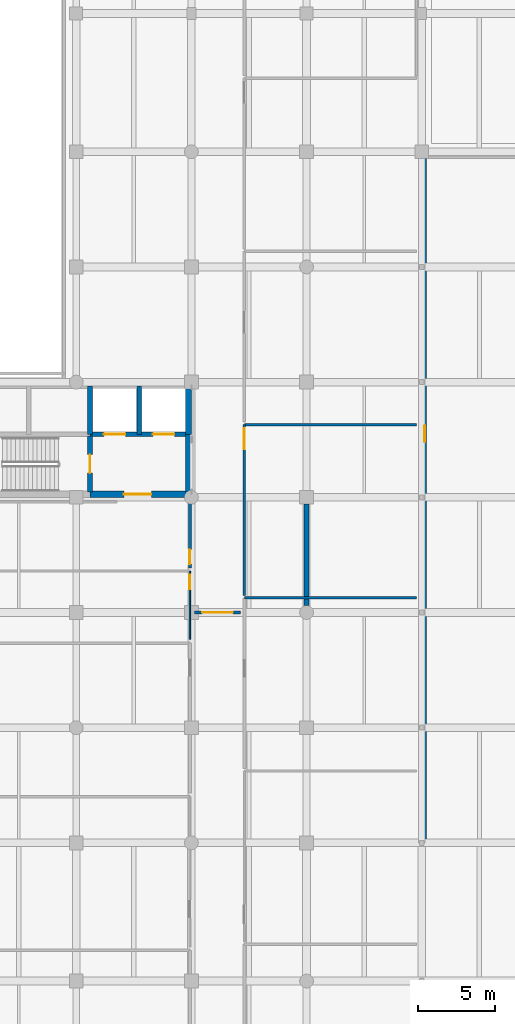
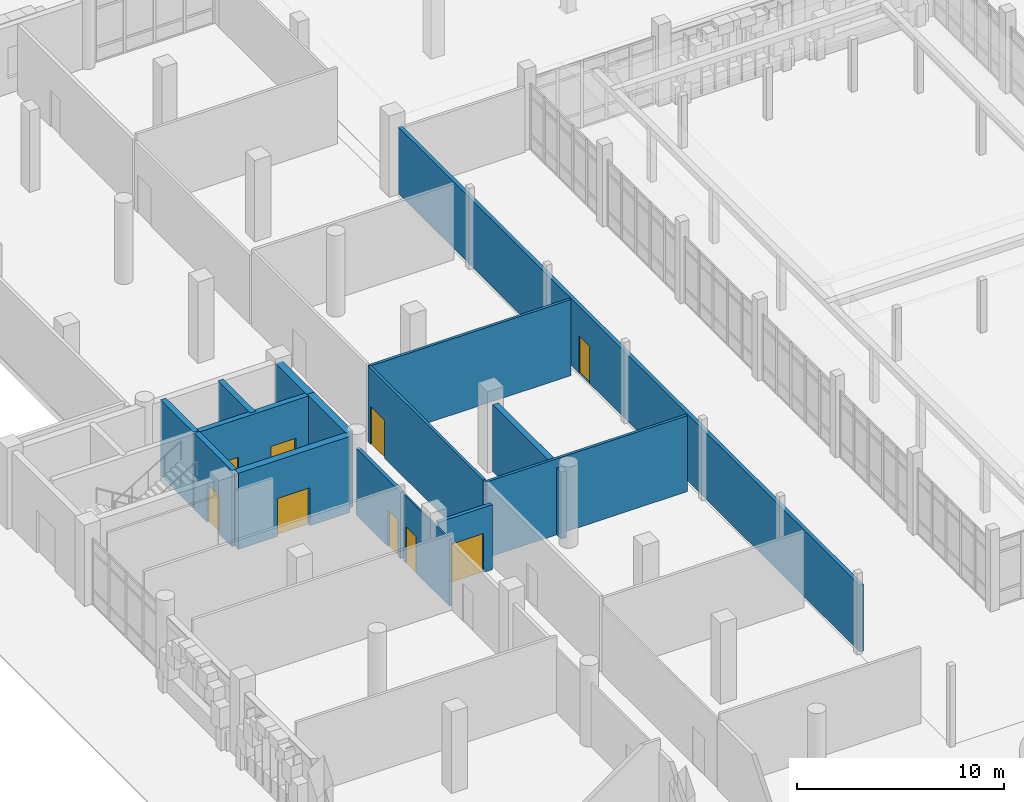
# One storey, part 92 of 125: 15 walls, 9 doors, 9 openings.
"""IFC4 building model written with IfcOpenShell, lengths in metres."""

from ifc_helpers import new_model, si_unit, direction, frame, frame_2d, origin, place, context, subcontext, project, spatial, rectangle, extrude, material, layer, layer_set, type_object, element, fill, save


model = new_model("IFC4")

# Units and contexts
model_context = context("Model", 3, precision=1e-05, world=origin(), true_north=direction((0.0, 1.0)))
body_context = subcontext(model_context, "Body", "Model", "MODEL_VIEW")
ifc_project = project(units=[si_unit("LENGTHUNIT", "METRE"), si_unit("AREAUNIT", "SQUARE_METRE"), si_unit("VOLUMEUNIT", "CUBIC_METRE"), si_unit("PLANEANGLEUNIT", "RADIAN"), si_unit("MASSUNIT", "GRAM", prefix="KILO")], contexts=[model_context])

# Site, building, storey
site_placement = place(None, origin())
site = spatial("IfcSite", under=ifc_project, at=site_placement, CompositionType="ELEMENT")
building_placement = place(site_placement, origin())
building = spatial("IfcBuilding", under=site, at=building_placement, Name="Dalvernix Boulevard General Hospital", CompositionType="ELEMENT")
storey_placement = place(building_placement, origin())
storey = spatial("IfcBuildingStorey", under=building, at=storey_placement, Name="L00", CompositionType="ELEMENT", Elevation=0.0)

# Wall, opening, door
ifc_material_1 = material(Name="Concrete C40/50", Category="concrete")
ifc_layer_1 = layer(ifc_material_1, 0.39990234375)
ifc_layer_set_1 = layer_set([ifc_layer_1], Name="Concrete C40/50 (WAL-CSW-01)")
wall_type_1 = type_object("IfcWallType", Name="WAL-CSW-01", PredefinedType="SHEAR", material=ifc_layer_set_1)
wall_1_placement = place(storey_placement, frame((8.39990234375, 54.199951171875, 0.0), z_axis=(0.0, 0.0, 1.0), x_axis=(1.0, 0.0, 0.0)))
wall_1 = element("IfcWall", 1, at=wall_1_placement, inside=storey, type_object=wall_type_1, Name="L00 C2 south firefighting lobby wall", PredefinedType="SHEAR", context=body_context, shape_type="SweptSolid", body=[
    extrude(rectangle(XDim=6.25, YDim=0.39990234375, at=frame_2d((3.125, 0.0))), origin(), (0.0, 0.0, 1.0), 4.5),
])
opening_1_placement = place(wall_1_placement, frame((2.199951171875, 0.0, 0.0)))
opening_1 = element("IfcOpeningElement", 2, at=opening_1_placement, cuts=wall_1, Name="Opening FD-01", PredefinedType="OPENING", context=body_context, shape_type="SweptSolid", body=[
    extrude(rectangle(XDim=1.800048828125, YDim=2.25, at=frame_2d((0.89990234375, 1.125))), frame((0.0, 0.2099609375, 0.0), z_axis=(0.0, -1.0, 0.0), x_axis=(1.0, 0.0, 0.0)), (0.0, 0.0, 1.0), 0.419921875),
])
ifc_material_2 = material(Name="Hospital laminate acoustic timber and steel frame", Category="steel")
door_type_1 = type_object("IfcDoorType", Name="DR-FD-01", OperationType="DOUBLE_DOOR_SINGLE_SWING", PredefinedType="DOOR", material=ifc_material_2)
door_1_placement = place(opening_1_placement, origin())
door_1 = element("IfcDoor", 3, at=door_1_placement, inside=storey, type_object=door_type_1, Name="L00 C2 firefighting lobby door", OperationType="DOUBLE_DOOR_SINGLE_SWING", OverallHeight=2.25, OverallWidth=1.800048828125, PredefinedType="DOOR", context=body_context, shape_type="SweptSolid", body=[
    extrude(rectangle(XDim=1.800048828125, YDim=2.25, at=frame_2d((0.89990234375, 1.125))), frame((0.0, 0.02490234375, 0.0), z_axis=(0.0, -1.0, 0.0), x_axis=(1.0, 0.0, 0.0)), (0.0, 0.0, 1.0), 0.050048828125),
])
fill(opening_1, door_1)

# Walls
wall_2_placement = place(storey_placement, frame((14.800048828125, 54.35009765625, 0.0), z_axis=(0.0, 0.0, 1.0), x_axis=(0.0, 1.0, 0.0)))
element("IfcWall", 4, at=wall_2_placement, inside=storey, type_object=wall_type_1, Name="L00 C2 east lobby core wall", PredefinedType="SHEAR", context=body_context, shape_type="SweptSolid", body=[
    extrude(rectangle(XDim=3.75, YDim=0.39990234375, at=frame_2d((1.875, 0.0))), origin(), (0.0, 0.0, 1.0), 4.5),
])
wall_3_placement = place(storey_placement, frame((14.800048828125, 58.10009765625, 0.0), z_axis=(0.0, 0.0, 1.0), x_axis=(0.0, 1.0, 0.0)))
element("IfcWall", 5, at=wall_3_placement, inside=storey, type_object=wall_type_1, Name="L00 C2 east shaft core wall", PredefinedType="SHEAR", context=body_context, shape_type="SweptSolid", body=[
    extrude(rectangle(XDim=3.0498046875, YDim=0.39990234375, at=frame_2d((1.52490234375, 0.0))), origin(), (0.0, 0.0, 1.0), 4.5),
])

# Wall, openings, doors
ifc_layer_2 = layer(ifc_material_1, 0.300048828125)
ifc_layer_set_2 = layer_set([ifc_layer_2], Name="Concrete C40/50 (WAL-CSW-02)")
wall_type_2 = type_object("IfcWallType", Name="WAL-CSW-02", PredefinedType="SHEAR", material=ifc_layer_set_2)
wall_4_placement = place(storey_placement, frame((8.39990234375, 58.10009765625, 0.0), z_axis=(0.0, 0.0, 1.0), x_axis=(1.0, 0.0, 0.0)))
wall_4 = element("IfcWall", 6, at=wall_4_placement, inside=storey, type_object=wall_type_2, Name="L00 C2 lift shaft front wall", PredefinedType="SHEAR", context=body_context, shape_type="SweptSolid", body=[
    extrude(rectangle(XDim=6.25, YDim=0.300048828125, at=frame_2d((3.125, 0.0))), origin(), (0.0, 0.0, 1.0), 4.5),
])
opening_2_placement = place(wall_4_placement, frame((0.89990234375, 0.0, 0.0)))
opening_2 = element("IfcOpeningElement", 7, at=opening_2_placement, cuts=wall_4, Name="Opening LD-FFL-03-L00", PredefinedType="OPENING", context=body_context, shape_type="SweptSolid", body=[
    extrude(rectangle(XDim=1.39990234375, YDim=2.25, at=frame_2d((0.699951171875, 1.125))), frame((0.0, 0.159912109375, 0.0), z_axis=(0.0, -1.0, 0.0), x_axis=(1.0, 0.0, 0.0)), (0.0, 0.0, 1.0), 0.320068359375),
])
opening_3_placement = place(wall_4_placement, frame((4.10009765625, 0.0, 0.0)))
opening_3 = element("IfcOpeningElement", 8, at=opening_3_placement, cuts=wall_4, Name="Opening LD-FFL-04-L00", PredefinedType="OPENING", context=body_context, shape_type="SweptSolid", body=[
    extrude(rectangle(XDim=1.39990234375, YDim=2.25, at=frame_2d((0.699951171875, 1.125))), frame((0.0, 0.159912109375, 0.0), z_axis=(0.0, -1.0, 0.0), x_axis=(1.0, 0.0, 0.0)), (0.0, 0.0, 1.0), 0.320068359375),
])
ifc_material_3 = material(Name="Stainless-clad steel", Category="steel")
door_type_2 = type_object("IfcDoorType", Name="DR-LD-01", OperationType="DOUBLE_DOOR_SLIDING", PredefinedType="DOOR", material=ifc_material_3)
door_2_placement = place(opening_2_placement, origin())
door_2 = element("IfcDoor", 9, at=door_2_placement, inside=storey, type_object=door_type_2, Name="L00 Lift FFL-03 sliding landing door", OperationType="DOUBLE_DOOR_SLIDING", OverallHeight=2.25, OverallWidth=1.39990234375, PredefinedType="DOOR", context=body_context, shape_type="SweptSolid", body=[
    extrude(rectangle(XDim=1.39990234375, YDim=2.25, at=frame_2d((0.699951171875, 1.125))), frame((0.0, 0.02490234375, 0.0), z_axis=(0.0, -1.0, 0.0), x_axis=(1.0, 0.0, 0.0)), (0.0, 0.0, 1.0), 0.050048828125),
])
fill(opening_2, door_2)
door_3_placement = place(opening_3_placement, origin())
door_3 = element("IfcDoor", 10, at=door_3_placement, inside=storey, type_object=door_type_2, Name="L00 Lift FFL-04 sliding landing door", OperationType="DOUBLE_DOOR_SLIDING", OverallHeight=2.25, OverallWidth=1.39990234375, PredefinedType="DOOR", context=body_context, shape_type="SweptSolid", body=[
    extrude(rectangle(XDim=1.39990234375, YDim=2.25, at=frame_2d((0.699951171875, 1.125))), frame((0.0, 0.02490234375, 0.0), z_axis=(0.0, -1.0, 0.0), x_axis=(1.0, 0.0, 0.0)), (0.0, 0.0, 1.0), 0.050048828125),
])
fill(opening_3, door_3)

# Wall, opening, door
wall_5_placement = place(storey_placement, frame((8.39990234375, 58.0, 0.0), z_axis=(0.0, 0.0, 1.0), x_axis=(0.0, -1.0, 0.0)))
wall_5 = element("IfcWall", 11, at=wall_5_placement, inside=storey, type_object=wall_type_2, Name="L00 C2 stairwell fire wall", PredefinedType="SHEAR", context=body_context, shape_type="SweptSolid", body=[
    extrude(rectangle(XDim=3.64990234375, YDim=0.300048828125, at=frame_2d((1.824951171875, 0.0))), origin(), (0.0, 0.0, 1.0), 4.5),
])
opening_4_placement = place(wall_5_placement, frame((1.219970703125, 0.0, 0.0)))
opening_4 = element("IfcOpeningElement", 12, at=opening_4_placement, cuts=wall_5, Name="Opening FD-02", PredefinedType="OPENING", context=body_context, shape_type="SweptSolid", body=[
    extrude(rectangle(XDim=1.199951171875, YDim=2.25, at=frame_2d((0.60009765625, 1.125))), frame((0.0, 0.159912109375, 0.0), z_axis=(0.0, -1.0, 0.0), x_axis=(1.0, 0.0, 0.0)), (0.0, 0.0, 1.0), 0.320068359375),
])
door_type_3 = type_object("IfcDoorType", Name="DR-FD-02", OperationType="NOTDEFINED", PredefinedType="DOOR", material=ifc_material_2)
door_4_placement = place(opening_4_placement, origin())
door_4 = element("IfcDoor", 13, at=door_4_placement, inside=storey, type_object=door_type_3, Name="L00 Stair ST-02 fire door", OperationType="SINGLE_SWING_RIGHT", OverallHeight=2.25, OverallWidth=1.199951171875, PredefinedType="DOOR", context=body_context, shape_type="SweptSolid", body=[
    extrude(rectangle(XDim=1.199951171875, YDim=2.25, at=frame_2d((0.60009765625, 1.125))), frame((0.0, 0.02490234375, 0.0), z_axis=(0.0, -1.0, 0.0), x_axis=(1.0, 0.0, 0.0)), (0.0, 0.0, 1.0), 0.050048828125),
])
fill(opening_4, door_4)

# Walls
for number, where, z_axis, x_axis, name in (
    (14, (8.39990234375, 58.10009765625, 0.0), (0.0, 0.0, 1.0), (0.0, 1.0, 0.0), "L00 C2 shaft divider R2"),
    (15, (11.60009765625, 58.10009765625, 0.0), (0.0, 0.0, 1.0), (0.0, 1.0, 0.0), "L00 C2 shaft divider L1"),
):
    element("IfcWall", number, at=place(storey_placement, frame(where, z_axis=z_axis, x_axis=x_axis)), inside=storey, type_object=wall_type_2, Name=name, PredefinedType="SHEAR", context=body_context, shape_type="SweptSolid", body=[
        extrude(rectangle(XDim=3.14990234375, YDim=0.300048828125, at=frame_2d((1.574951171875, 0.0))), origin(), (0.0, 0.0, 1.0), 4.5),
    ])
ifc_layer_3 = layer(ifc_material_1, 0.320068359375)
ifc_layer_set_3 = layer_set([ifc_layer_3], Name="Concrete C40/50 (WAL-ESW-02)")
wall_type_3 = type_object("IfcWallType", Name="WAL-ESW-02", PredefinedType="SHEAR", material=ifc_layer_set_3)
wall_6_placement = place(storey_placement, frame((22.5, 46.949951171875, 0.0), z_axis=(0.0, 0.0, 1.0), x_axis=(0.0, 1.0, 0.0)))
element("IfcWall", 16, at=wall_6_placement, inside=storey, type_object=wall_type_3, Name="L00 reinforced concrete shear wall 2", PredefinedType="SHEAR", context=body_context, shape_type="SweptSolid", body=[
    extrude(rectangle(XDim=6.60009765625, YDim=0.320068359375, at=frame_2d((3.300048828125, 0.0))), origin(), (0.0, 0.0, 1.0), 3.949951171875),
])

# Wall, opening, door
ifc_material_4 = material(Name="Fire-compartment corridor masonry wall", Category="masonry")
ifc_layer_4 = layer(ifc_material_4, 0.199951171875)
ifc_layer_set_4 = layer_set([ifc_layer_4], Name="Fire-compartment corridor masonry wall (WAL-IW-02)")
wall_type_4 = type_object("IfcWallType", Name="WAL-IW-02", PredefinedType="STANDARD", material=ifc_layer_set_4)
wall_7_placement = place(storey_placement, frame((14.89990234375, 49.39990234375, 0.0), z_axis=(0.0, 0.0, 1.0), x_axis=(0.0, 1.0, 0.0)))
wall_7 = element("IfcWall", 17, at=wall_7_placement, inside=storey, type_object=wall_type_4, Name="L00 Staff WC L00 West corridor wall", PredefinedType="STANDARD", context=body_context, shape_type="SweptSolid", body=[
    extrude(rectangle(XDim=4.300048828125, YDim=0.199951171875, at=frame_2d((2.14990234375, 0.0))), origin(), (0.0, 0.0, 1.0), 3.93505859375),
])
opening_5_placement = place(wall_7_placement, frame((0.25, 0.0, 0.0)))
opening_5 = element("IfcOpeningElement", 18, at=opening_5_placement, cuts=wall_7, Name="Opening ID-06", PredefinedType="OPENING", context=body_context, shape_type="SweptSolid", body=[
    extrude(rectangle(XDim=0.949951171875, YDim=2.14990234375, at=frame_2d((0.47509765625, 1.074951171875))), frame((0.0, 0.10986328125, 0.0), z_axis=(0.0, -1.0, 0.0), x_axis=(1.0, 0.0, 0.0)), (0.0, 0.0, 1.0), 0.219970703125),
])
door_type_4 = type_object("IfcDoorType", Name="DR-ID-06", OperationType="NOTDEFINED", PredefinedType="DOOR", material=ifc_material_2)
door_5_placement = place(opening_5_placement, origin())
door_5 = element("IfcDoor", 19, at=door_5_placement, inside=storey, type_object=door_type_4, Name="L00 Staff WC L00 West door", OperationType="SINGLE_SWING_RIGHT", OverallHeight=2.14990234375, OverallWidth=0.949951171875, PredefinedType="DOOR", context=body_context, shape_type="SweptSolid", body=[
    extrude(rectangle(XDim=0.949951171875, YDim=2.14990234375, at=frame_2d((0.47509765625, 1.074951171875))), frame((0.0, 0.02490234375, 0.0), z_axis=(0.0, -1.0, 0.0), x_axis=(1.0, 0.0, 0.0)), (0.0, 0.0, 1.0), 0.050048828125),
])
fill(opening_5, door_5)

wall_8_placement = place(storey_placement, frame((30.199951171875, 76.14990234375, 0.0), z_axis=(0.0, 0.0, 1.0), x_axis=(0.0, -1.0, 0.0)))
wall_8 = element("IfcWall", 20, at=wall_8_placement, inside=storey, type_object=wall_type_4, Name="L00 L00 West Cloister Colonnade Loggia corridor wall", PredefinedType="STANDARD", context=body_context, shape_type="SweptSolid", body=[
    extrude(rectangle(XDim=44.64990234375, YDim=0.199951171875, at=frame_2d((22.324951171875, 0.0))), origin(), (0.0, 0.0, 1.0), 3.93505859375),
])
opening_6_placement = place(wall_8_placement, frame((17.489990234375, 0.0, 0.0)))
opening_6 = element("IfcOpeningElement", 21, at=opening_6_placement, cuts=wall_8, Name="Opening ID-07", PredefinedType="OPENING", context=body_context, shape_type="SweptSolid", body=[
    extrude(rectangle(XDim=1.050048828125, YDim=2.199951171875, at=frame_2d((0.52490234375, 1.10009765625))), frame((0.0, 0.10986328125, 0.0), z_axis=(0.0, -1.0, 0.0), x_axis=(1.0, 0.0, 0.0)), (0.0, 0.0, 1.0), 0.219970703125),
])
door_type_5 = type_object("IfcDoorType", Name="DR-ID-07", OperationType="NOTDEFINED", PredefinedType="DOOR", material=ifc_material_2)
door_6_placement = place(opening_6_placement, origin())
door_6 = element("IfcDoor", 22, at=door_6_placement, inside=storey, type_object=door_type_5, Name="L00 L00 West Cloister Colonnade Loggia door", OperationType="SINGLE_SWING_RIGHT", OverallHeight=2.199951171875, OverallWidth=1.050048828125, PredefinedType="DOOR", context=body_context, shape_type="SweptSolid", body=[
    extrude(rectangle(XDim=1.050048828125, YDim=2.199951171875, at=frame_2d((0.52490234375, 1.10009765625))), frame((0.0, 0.02490234375, 0.0), z_axis=(0.0, -1.0, 0.0), x_axis=(1.0, 0.0, 0.0)), (0.0, 0.0, 1.0), 0.050048828125),
])
fill(opening_6, door_6)

wall_9_placement = place(storey_placement, frame((15.199951171875, 46.5, 0.0), z_axis=(0.0, 0.0, 1.0), x_axis=(1.0, 0.0, 0.0)))
wall_9 = element("IfcWall", 23, at=wall_9_placement, inside=storey, type_object=wall_type_4, Name="L00 horizontal progressive evacuation compartment wall 1", PredefinedType="STANDARD", context=body_context, shape_type="SweptSolid", body=[
    extrude(rectangle(XDim=3.0, YDim=0.199951171875, at=frame_2d((1.5, 0.0))), origin(), (0.0, 0.0, 1.0), 3.8349609375),
])
opening_7_placement = place(wall_9_placement, frame((0.5, 0.0, 0.0)))
opening_7 = element("IfcOpeningElement", 24, at=opening_7_placement, cuts=wall_9, Name="Opening FD-03", PredefinedType="OPENING", context=body_context, shape_type="SweptSolid", body=[
    extrude(rectangle(XDim=2.0, YDim=2.300048828125, at=frame_2d((1.0, 1.14990234375))), frame((0.0, 0.10986328125, 0.0), z_axis=(0.0, -1.0, 0.0), x_axis=(1.0, 0.0, 0.0)), (0.0, 0.0, 1.0), 0.219970703125),
])
door_type_6 = type_object("IfcDoorType", Name="DR-FD-03", OperationType="DOUBLE_DOOR_SINGLE_SWING", PredefinedType="DOOR", material=ifc_material_2)
door_7_placement = place(opening_7_placement, origin())
door_7 = element("IfcDoor", 25, at=door_7_placement, inside=storey, type_object=door_type_6, Name="L00 horizontal compartment hold-open fire door 1", OperationType="DOUBLE_DOOR_SINGLE_SWING", OverallHeight=2.300048828125, OverallWidth=2.0, PredefinedType="DOOR", context=body_context, shape_type="SweptSolid", body=[
    extrude(rectangle(XDim=2.0, YDim=2.300048828125, at=frame_2d((1.0, 1.14990234375))), frame((0.0, 0.02490234375, 0.0), z_axis=(0.0, -1.0, 0.0), x_axis=(1.0, 0.0, 0.0)), (0.0, 0.0, 1.0), 0.050048828125),
])
fill(opening_7, door_7)

ifc_material_5 = material(Name="Acoustic double-stud gypsum inpatient partition")
ifc_layer_5 = layer(ifc_material_5, 0.14990234375)
ifc_layer_set_5 = layer_set([ifc_layer_5], Name="Acoustic double-stud gypsum inpatient partition (WAL-IW-04)")
wall_type_5 = type_object("IfcWallType", Name="WAL-IW-04", PredefinedType="PARTITIONING", material=ifc_layer_set_5)
wall_10_placement = place(storey_placement, frame((18.449951171875, 58.734375, 0.0), z_axis=(0.0, 0.0, 1.0), x_axis=(0.0, -1.0, 0.0)))
wall_10 = element("IfcWall", 26, at=wall_10_placement, inside=storey, type_object=wall_type_5, Name="L00 Outpatient Consultation Clinic corridor wall", PredefinedType="PARTITIONING", context=body_context, shape_type="SweptSolid", body=[
    extrude(rectangle(XDim=11.11865234375, YDim=0.14990234375, at=frame_2d((5.559326171875, 0.0))), origin(), (0.0, 0.0, 1.0), 4.485107421875),
])
opening_8_placement = place(wall_10_placement, frame((0.25, 0.0, 0.0)))
opening_8 = element("IfcOpeningElement", 27, at=opening_8_placement, cuts=wall_10, Name="Opening ID-01", PredefinedType="OPENING", context=body_context, shape_type="SweptSolid", body=[
    extrude(rectangle(XDim=1.35009765625, YDim=2.25, at=frame_2d((0.675048828125, 1.125))), frame((0.0, 0.0849609375, 0.0), z_axis=(0.0, -1.0, 0.0), x_axis=(1.0, 0.0, 0.0)), (0.0, 0.0, 1.0), 0.169921875),
])
door_type_7 = type_object("IfcDoorType", Name="DR-ID-01", OperationType="NOTDEFINED", PredefinedType="DOOR", material=ifc_material_2)
door_8_placement = place(opening_8_placement, origin())
door_8 = element("IfcDoor", 28, at=door_8_placement, inside=storey, type_object=door_type_7, Name="L00 Outpatient Consultation Clinic door", OperationType="SINGLE_SWING_LEFT", OverallHeight=2.25, OverallWidth=1.35009765625, PredefinedType="DOOR", context=body_context, shape_type="SweptSolid", body=[
    extrude(rectangle(XDim=1.35009765625, YDim=2.25, at=frame_2d((0.675048828125, 1.125))), frame((0.0, 0.02490234375, 0.0), z_axis=(0.0, -1.0, 0.0), x_axis=(1.0, 0.0, 0.0)), (0.0, 0.0, 1.0), 0.050048828125),
])
fill(opening_8, door_8)

# Walls
for number, where, z_axis, x_axis, name in (
    (29, (18.449951171875, 47.455810546875, 0.0), (0.0, 0.0, 1.0), (1.0, 0.0, 0.0), "L00 Patient and Family Day Lounge L00 partition"),
    (30, (18.449951171875, 58.734375, 0.0), (0.0, 0.0, 1.0), (1.0, 0.0, 0.0), "L00 Outpatient Consultation Clinic partition"),
):
    element("IfcWall", number, at=place(storey_placement, frame(where, z_axis=z_axis, x_axis=x_axis)), inside=storey, type_object=wall_type_5, Name=name, PredefinedType="PARTITIONING", context=body_context, shape_type="SweptSolid", body=[
        extrude(rectangle(XDim=11.199951171875, YDim=0.14990234375, at=frame_2d((5.60009765625, 0.0))), origin(), (0.0, 0.0, 1.0), 4.485107421875),
    ])

# Wall, opening, door
ifc_material_6 = material(Name="Fire-resisting clinical sub-partition")
ifc_layer_6 = layer(ifc_material_6, 0.10009765625)
ifc_layer_set_6 = layer_set([ifc_layer_6], Name="Fire-resisting clinical sub-partition (WAL-IW-06)")
wall_type_6 = type_object("IfcWallType", Name="WAL-IW-06", PredefinedType="PARTITIONING", material=ifc_layer_set_6)
wall_11_placement = place(storey_placement, frame((14.89990234375, 44.75, 0.0), z_axis=(0.0, 0.0, 1.0), x_axis=(0.0, 1.0, 0.0)))
wall_11 = element("IfcWall", 31, at=wall_11_placement, inside=storey, type_object=wall_type_6, Name="L00 Accessible Public WC L00 West corridor wall", PredefinedType="PARTITIONING", context=body_context, shape_type="SweptSolid", body=[
    extrude(rectangle(XDim=4.449951171875, YDim=0.10009765625, at=frame_2d((2.22509765625, 0.0))), origin(), (0.0, 0.0, 1.0), 3.93505859375),
])
opening_9_placement = place(wall_11_placement, frame((3.25, 0.0, 0.0)))
opening_9 = element("IfcOpeningElement", 32, at=opening_9_placement, cuts=wall_11, Name="Opening ID-06", PredefinedType="OPENING", context=body_context, shape_type="SweptSolid", body=[
    extrude(rectangle(XDim=0.949951171875, YDim=2.14990234375, at=frame_2d((0.47509765625, 1.074951171875))), frame((0.0, 0.06005859375, 0.0), z_axis=(0.0, -1.0, 0.0), x_axis=(1.0, 0.0, 0.0)), (0.0, 0.0, 1.0), 0.1201171875),
])
door_9_placement = place(opening_9_placement, origin())
door_9 = element("IfcDoor", 33, at=door_9_placement, inside=storey, type_object=door_type_4, Name="L00 Accessible Public WC L00 West door", OperationType="SINGLE_SWING_LEFT", OverallHeight=2.14990234375, OverallWidth=0.949951171875, PredefinedType="DOOR", context=body_context, shape_type="SweptSolid", body=[
    extrude(rectangle(XDim=0.949951171875, YDim=2.14990234375, at=frame_2d((0.47509765625, 1.074951171875))), frame((0.0, 0.02490234375, 0.0), z_axis=(0.0, -1.0, 0.0), x_axis=(1.0, 0.0, 0.0)), (0.0, 0.0, 1.0), 0.050048828125),
])
fill(opening_9, door_9)

save(model, "model.ifc")
